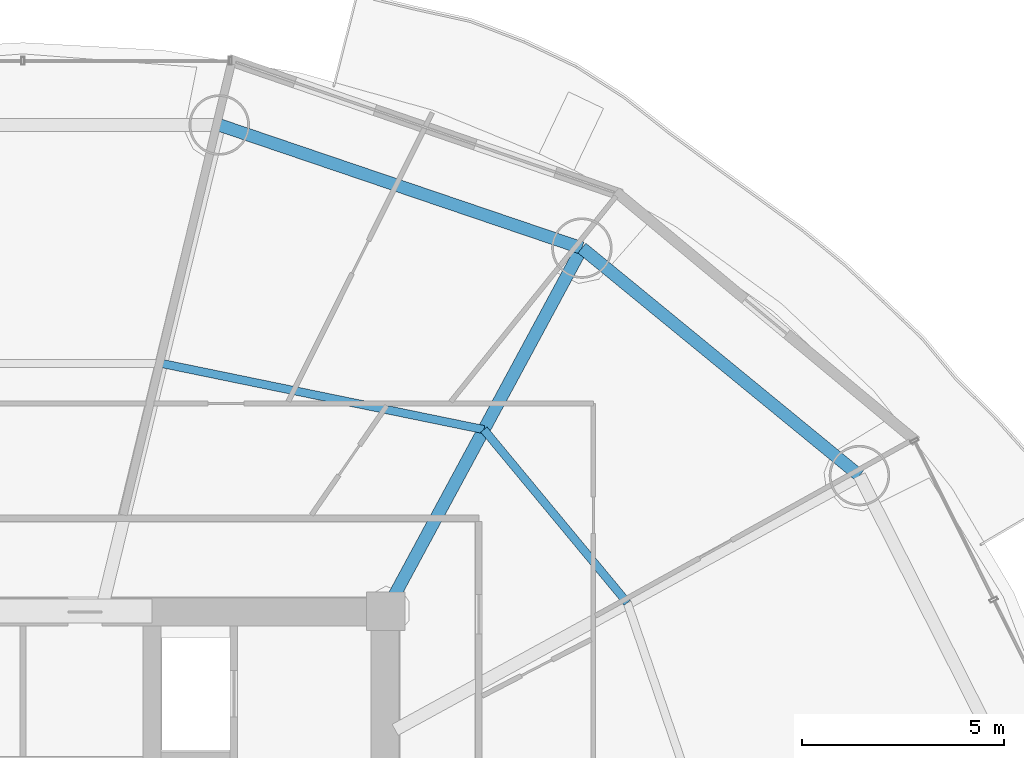
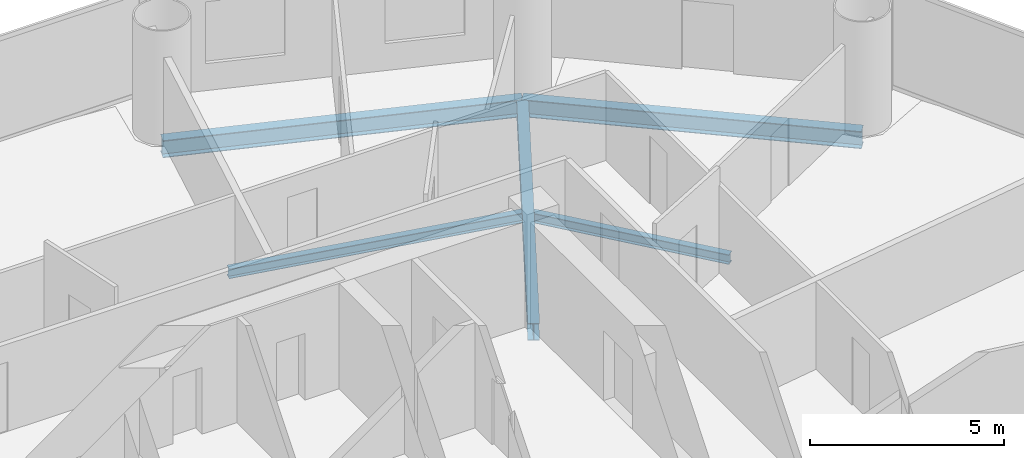
# One storey, part 18 of 28: 5 beams.
"""IFC4 building model written with IfcOpenShell, lengths in metres."""

from ifc_helpers import new_model, si_unit, direction, frame, origin, origin_2d, place, context, subcontext, project, spatial, i_section, extrude, material, material_profile, profile_set, type_object, element, save


model = new_model("IFC4")

# Units and contexts
model_context = context("Model", 3, precision=1e-05, world=origin(), true_north=direction((-0.2419218956, 0.970295726276)))
body_context = subcontext(model_context, "Body", "Model", "MODEL_VIEW")
ifc_project = project(units=[si_unit("LENGTHUNIT", "METRE"), si_unit("AREAUNIT", "SQUARE_METRE"), si_unit("VOLUMEUNIT", "CUBIC_METRE"), si_unit("PLANEANGLEUNIT", "RADIAN"), si_unit("MASSUNIT", "GRAM", prefix="KILO")], contexts=[model_context])

# Site, building, storey
site_placement = place(None, origin())
site = spatial("IfcSite", under=ifc_project, at=site_placement, CompositionType="ELEMENT")
building_placement = place(site_placement, origin())
building = spatial("IfcBuilding", under=site, at=building_placement, Name="Cobrevalo Terracotta Tower", CompositionType="ELEMENT")
storey_placement = place(building_placement, frame((0.0, 0.0, 105.0)))
storey = spatial("IfcBuildingStorey", under=building, at=storey_placement, Name="L27", CompositionType="ELEMENT", Elevation=105.0)

# Beams
ifc_material = material(Name="Steel S355", Category="steel")
ifc_material_profile_1 = material_profile(ifc_material, i_section(OverallWidth=0.31201171875, OverallDepth=0.54296875, WebThickness=0.0126953125, FlangeThickness=0.020263671875, at=origin_2d()), Name="W 530x150")
ifc_profile_set_1 = profile_set([ifc_material_profile_1], Name="Steel S355")
beam_type_1 = type_object("IfcBeamType", Name="Structural Beam W 530x150 (Steel S355)", PredefinedType="BEAM", material=ifc_profile_set_1)
beam_1_placement = place(storey_placement, frame((51.861572265625, 43.803466796875, -0.54638671875), z_axis=(-0.475128224431, -0.879916570107, 0.0), x_axis=(0.879916570107, -0.475128224431, 0.0)))
element("IfcBeam", 1, at=beam_1_placement, inside=storey, type_object=beam_type_1, Name="L27 radial floor girder 03", PredefinedType="BEAM", context=body_context, shape_type="SweptSolid", body=[
    extrude(i_section(OverallWidth=0.31201171875, OverallDepth=0.54296875, WebThickness=0.0126953125, FlangeThickness=0.020263671875, at=origin_2d()), origin(), (0.0, 0.0, 1.0), 10.232177734375),
])
ifc_material_profile_2 = material_profile(ifc_material, i_section(OverallWidth=0.2041015625, OverallDepth=0.305908203125, WebThickness=0.008544921875, FlangeThickness=0.0146484375, at=origin_2d()), Name="W 310x67")
ifc_profile_set_2 = profile_set([ifc_material_profile_2], Name="Steel S355")
beam_type_2 = type_object("IfcBeamType", Name="Structural Joist W 310x67 (Steel S355)", PredefinedType="JOIST", material=ifc_profile_set_2)
beam_2_placement = place(storey_placement, frame((52.987548828125, 35.00830078125, -0.427978515625), z_axis=(-0.6379592588, 0.77007011636, 0.0), x_axis=(-0.77007011636, -0.6379592588, 0.0)))
element("IfcBeam", 2, at=beam_2_placement, inside=storey, type_object=beam_type_2, Name="L27 circumferential secondary floor joist 02", PredefinedType="JOIST", context=body_context, shape_type="SweptSolid", body=[
    extrude(i_section(OverallWidth=0.2041015625, OverallDepth=0.305908203125, WebThickness=0.008544921875, FlangeThickness=0.0146484375, at=origin_2d()), origin(), (0.0, 0.0, 1.0), 5.575439453125),
])
beam_3_placement = place(storey_placement, frame((49.4306640625, 39.3017578125, -0.427978515625), z_axis=(-0.979574469315, 0.201081722357, 0.0), x_axis=(-0.201081722357, -0.979574469315, 0.0)))
element("IfcBeam", 3, at=beam_3_placement, inside=storey, type_object=beam_type_2, Name="L27 circumferential secondary floor joist 03", PredefinedType="JOIST", context=body_context, shape_type="SweptSolid", body=[
    extrude(i_section(OverallWidth=0.2041015625, OverallDepth=0.305908203125, WebThickness=0.008544921875, FlangeThickness=0.0146484375, at=origin_2d()), origin(), (0.0, 0.0, 1.0), 8.1650390625),
])
ifc_material_profile_3 = material_profile(ifc_material, i_section(OverallWidth=0.31201171875, OverallDepth=0.54296875, WebThickness=0.0126953125, FlangeThickness=0.020263671875, at=origin_2d()), Name="W 530x150")
ifc_profile_set_3 = profile_set([ifc_material_profile_3], Name="Steel S355")
beam_type_3 = type_object("IfcBeamType", Name="Structural Spandrel W 530x150 (Steel S355)", PredefinedType="SPANDREL", material=ifc_profile_set_3)
beam_4_placement = place(storey_placement, frame((58.7451171875, 38.161376953125, -0.54638671875), z_axis=(-0.773400923541, 0.633917196064, 0.0), x_axis=(-0.633917196064, -0.773400923541, 0.0)))
element("IfcBeam", 4, at=beam_4_placement, inside=storey, type_object=beam_type_3, Name="L27 perimeter ring spandrel 02", PredefinedType="SPANDREL", context=body_context, shape_type="SweptSolid", body=[
    extrude(i_section(OverallWidth=0.31201171875, OverallDepth=0.54296875, WebThickness=0.0126953125, FlangeThickness=0.020263671875, at=origin_2d()), origin(), (0.0, 0.0, 1.0), 8.900390625),
])
beam_5_placement = place(storey_placement, frame((51.861572265625, 43.803466796875, -0.54638671875), z_axis=(-0.946910528816, 0.32149720126, 0.0), x_axis=(-0.32149720126, -0.946910528816, 0.0)))
element("IfcBeam", 5, at=beam_5_placement, inside=storey, type_object=beam_type_3, Name="L27 perimeter ring spandrel 03", PredefinedType="SPANDREL", context=body_context, shape_type="SweptSolid", body=[
    extrude(i_section(OverallWidth=0.31201171875, OverallDepth=0.54296875, WebThickness=0.0126953125, FlangeThickness=0.020263671875, at=origin_2d()), origin(), (0.0, 0.0, 1.0), 9.498291015625),
])

save(model, "model.ifc")
